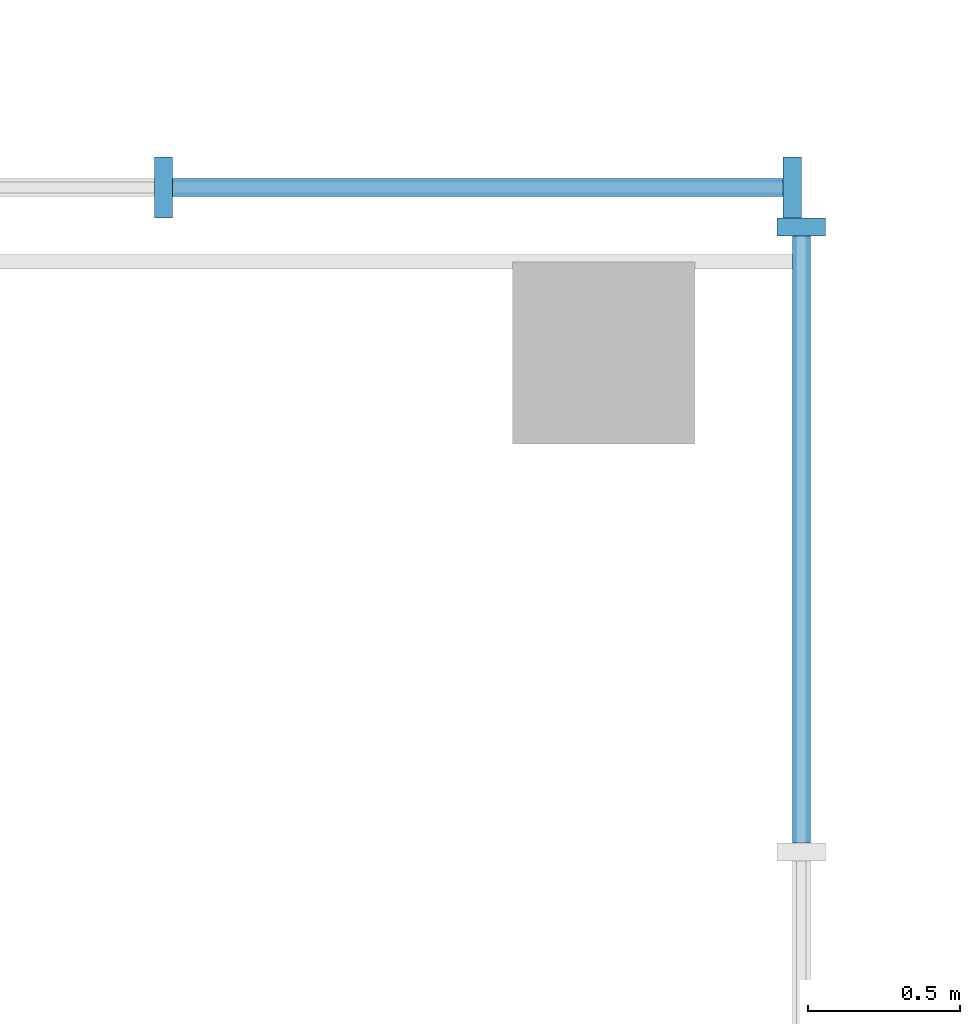
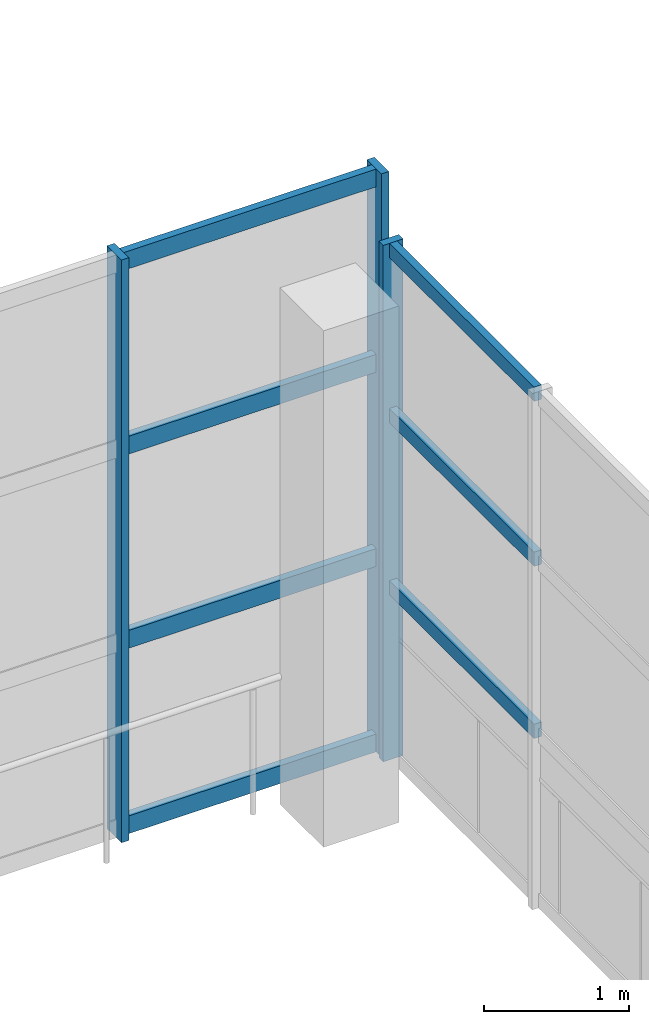
# One storey, part 25 of 67: 10 members, 2 elements without a shape of their own.
"""IFC4 building model written with IfcOpenShell, lengths in metres."""

import ifcopenshell
import ifcopenshell.guid

model = None  # the IFC model being written
_history = None  # IfcOwnerHistory: only IFC2X3 demands one
_inside = {}  # id of a spatial element -> (the spatial element, [elements in it])
_under = {}  # id of a project, library or spatial element -> (it, [spatial elements below it])
_declared = {}  # id of a project -> (the project, [libraries it declares])
_typed = {}  # id of a type object -> (the type object, [elements of that type])
_made_of = {}  # id of a material, layer set ... -> (it, [elements and type objects made of it])


def new_model(schema):
    """Start an empty IFC model of exactly this schema.

    Asked for "IFC4X3", IfcOpenShell would pick the latest addendum, in which some entities
    have other attributes; the version numbers below select the first issue.
    IFC2X3 requires an IfcOwnerHistory on every rooted entity: one is made here for all.
    """
    global model, _history
    if schema == "IFC4X3":
        model = ifcopenshell.file(schema_version=(4, 3, 0, 0))
    else:
        model = ifcopenshell.file(schema=schema)
    _inside.clear()
    _under.clear()
    _declared.clear()
    _typed.clear()
    _made_of.clear()
    _history = None
    if model.schema == "IFC2X3":
        org = make("IfcOrganization", Name="unknown")
        user = make(
            "IfcPersonAndOrganization",
            ThePerson=make("IfcPerson", FamilyName="unknown"),
            TheOrganization=org,
        )
        app = make(
            "IfcApplication",
            ApplicationDeveloper=org,
            Version="unknown",
            ApplicationFullName="unknown",
            ApplicationIdentifier="unknown",
        )
        _history = make(
            "IfcOwnerHistory",
            OwningUser=user,
            OwningApplication=app,
            ChangeAction="ADDED",
            CreationDate=0,
        )
    return model


def make(cls, **values):
    """One entity of the class cls with the attributes given. An attribute that is None is left unset."""
    return model.create_entity(
        cls, **{name: value for name, value in values.items() if value is not None}
    )


def rooted(cls, **values):
    """An entity with a GlobalId (a new one), such as an element, a storey or a relation."""
    return make(cls, GlobalId=ifcopenshell.guid.new(), OwnerHistory=_history, **values)


def si_unit(unit_type, name, prefix=None):
    """IfcSIUnit, for example si_unit("LENGTHUNIT", "METRE", prefix="MILLI")."""
    return make("IfcSIUnit", UnitType=unit_type, Prefix=prefix, Name=name)


def assignment(units):
    """IfcUnitAssignment: the units of a project."""
    return None if units is None else make("IfcUnitAssignment", Units=units)


def point(xyz):
    """IfcCartesianPoint."""
    return None if xyz is None else make("IfcCartesianPoint", Coordinates=xyz)


def direction(xyz):
    """IfcDirection."""
    return None if xyz is None else make("IfcDirection", DirectionRatios=xyz)


def frame(location, z_axis=None, x_axis=None):
    """IfcAxis2Placement3D, a coordinate frame: its origin and axes. An axis left out is left unset."""
    return make(
        "IfcAxis2Placement3D",
        Location=point(location),
        Axis=direction(z_axis),
        RefDirection=direction(x_axis),
    )


def frame_2d(location, x_axis=None):
    """IfcAxis2Placement2D, a coordinate frame in the plane: its origin and x axis."""
    return make(
        "IfcAxis2Placement2D", Location=point(location), RefDirection=direction(x_axis)
    )


def origin():
    """The frame at (0, 0, 0) with its axes left unset."""
    return frame((0.0, 0.0, 0.0))


def origin_2d():
    """The frame at (0, 0) in the plane with its x axis left unset."""
    return frame_2d((0.0, 0.0))


def place(relative_to, where):
    """IfcLocalPlacement: puts the frame where relative to a parent placement (None: the world)."""
    return make(
        "IfcLocalPlacement", PlacementRelTo=relative_to, RelativePlacement=where
    )


def context(
    kind, dimensions, precision=None, world=None, true_north=None, identifier=None
):
    """IfcGeometricRepresentationContext, for example the 3D "Model" context."""
    return make(
        "IfcGeometricRepresentationContext",
        ContextIdentifier=identifier,
        ContextType=kind,
        CoordinateSpaceDimension=dimensions,
        Precision=precision,
        WorldCoordinateSystem=world,
        TrueNorth=true_north,
    )


def subcontext(parent, identifier, kind, view, scale=None):
    """IfcGeometricRepresentationSubContext, for example "Body" below "Model"."""
    return make(
        "IfcGeometricRepresentationSubContext",
        ContextIdentifier=identifier,
        ContextType=kind,
        ParentContext=parent,
        TargetScale=scale,
        TargetView=view,
    )


def project(units=None, contexts=None):
    """IfcProject with its units and contexts."""
    return rooted(
        "IfcProject",
        Name="project",
        RepresentationContexts=contexts,
        UnitsInContext=assignment(units),
    )


def spatial(cls, under=None, at=None, **own):
    """A site, building, storey or space (cls), placed at a placement, below another one or the project."""
    s = rooted(cls, ObjectPlacement=at, **own)
    if under is not None:
        _under.setdefault(under.id(), (under, []))[1].append(s)
    return s


def profile(cls, at=None, kind="AREA", **sizes):
    """A parametric profile (cls). Its sizes go by their IFC names, for example OverallWidth=200.0."""
    return make(cls, ProfileType=kind, Position=at, **sizes)


def rectangle(**sizes):
    """IfcRectangleProfileDef."""
    return profile("IfcRectangleProfileDef", **sizes)


def extrude(swept, where, along, depth):
    """IfcExtrudedAreaSolid: the profile swept, set in the frame where, extruded along a direction by depth."""
    return make(
        "IfcExtrudedAreaSolid",
        SweptArea=swept,
        Position=where,
        ExtrudedDirection=direction(along),
        Depth=depth,
    )


def shape(context_of_items, identifier, shape_type, items):
    """IfcShapeRepresentation: the items that make up one representation, for example the "Body"."""
    return make(
        "IfcShapeRepresentation",
        ContextOfItems=context_of_items,
        RepresentationIdentifier=identifier,
        RepresentationType=shape_type,
        Items=items,
    )


def material(Name=None, Category=None):
    """IfcMaterial."""
    return make("IfcMaterial", Name=Name, Category=Category)


def layer(
    of_material, thickness, ventilated=None, Name=None, Category=None, Priority=None
):
    """IfcMaterialLayer: one layer of a wall or slab, of a material (None: an air gap)."""
    return make(
        "IfcMaterialLayer",
        Material=of_material,
        LayerThickness=thickness,
        IsVentilated=ventilated,
        Name=Name,
        Category=Category,
        Priority=Priority,
    )


def layer_set(layers, Name=None):
    """IfcMaterialLayerSet."""
    return make("IfcMaterialLayerSet", MaterialLayers=layers, LayerSetName=Name)


def material_profile(
    of_material, cross_section, Name=None, Category=None, Priority=None
):
    """IfcMaterialProfile: a cross section and its material."""
    return make(
        "IfcMaterialProfile",
        Name=Name,
        Material=of_material,
        Profile=cross_section,
        Priority=Priority,
        Category=Category,
    )


def profile_set(profiles, Name=None, composite=None):
    """IfcMaterialProfileSet."""
    return make(
        "IfcMaterialProfileSet",
        Name=Name,
        MaterialProfiles=profiles,
        CompositeProfile=composite,
    )


def made_of(thing, what):
    """Note that an element or type object is made of a material, layer set ...; save() writes the relation."""
    if what is not None:
        _made_of.setdefault(what.id(), (what, []))[1].append(thing)
    return thing


def type_object(cls, material=None, **own):
    """A type object (cls), such as IfcWallType, which elements share."""
    return made_of(rooted(cls, **own), material)


def element(
    cls,
    number,
    at=None,
    inside=None,
    cuts=None,
    type_object=None,
    material=None,
    context=None,
    identifier="Body",
    shape_type=None,
    held_by="IfcProductDefinitionShape",
    body=None,
    shapes=None,
    **own,
):
    """One element of the class cls, such as IfcWall. Its Tag is "e" and its number.

    at: its placement. inside: the storey or other place that contains it. cuts: it is an
    opening in that element (IfcRelVoidsElement). A single representation is given by context,
    identifier, shape_type and body (its items); several are given by shapes. held_by: the class
    of the entity that holds the representations. save() writes the other relations.
    """
    e = rooted(cls, Tag="e%d" % number, ObjectPlacement=at, **own)
    if body is not None:
        shapes = [shape(context, identifier, shape_type, body)]
    if shapes is not None:
        e.Representation = make(held_by, Representations=shapes)
    if inside is not None:
        _inside.setdefault(inside.id(), (inside, []))[1].append(e)
    if cuts is not None:
        rooted(
            "IfcRelVoidsElement", RelatingBuildingElement=cuts, RelatedOpeningElement=e
        )
    if type_object is not None:
        _typed.setdefault(type_object.id(), (type_object, []))[1].append(e)
    return made_of(e, material)


def aggregate(whole, parts):
    """IfcRelAggregates: a whole, such as a stair, and the parts it consists of."""
    return rooted("IfcRelAggregates", RelatingObject=whole, RelatedObjects=parts)


def save(model, path):
    """Write the relations noted so far, then the file.

    IfcRelAggregates (storeys below a building ...), IfcRelContainedInSpatialStructure (elements
    in a storey), IfcRelDefinesByType, IfcRelAssociatesMaterial and IfcRelDeclares: one each for
    every whole, place, type object, material and project.
    """
    for whole, parts in _under.values():
        aggregate(whole, parts)
    for where, things in _inside.values():
        rooted(
            "IfcRelContainedInSpatialStructure",
            RelatedElements=things,
            RelatingStructure=where,
        )
    for kind, things in _typed.values():
        rooted("IfcRelDefinesByType", RelatedObjects=things, RelatingType=kind)
    for what, things in _made_of.values():
        rooted("IfcRelAssociatesMaterial", RelatedObjects=things, RelatingMaterial=what)
    for by, libraries in _declared.values():
        rooted("IfcRelDeclares", RelatingContext=by, RelatedDefinitions=libraries)
    model.write(path)


model = new_model("IFC4")

# Units and contexts
model_context = context("Model", 3, precision=1e-05, world=origin(), true_north=direction((0.0, 1.0)))
body_context = subcontext(model_context, "Body", "Model", "MODEL_VIEW")
ifc_project = project(units=[si_unit("LENGTHUNIT", "METRE"), si_unit("AREAUNIT", "SQUARE_METRE"), si_unit("VOLUMEUNIT", "CUBIC_METRE"), si_unit("PLANEANGLEUNIT", "RADIAN"), si_unit("MASSUNIT", "GRAM", prefix="KILO")], contexts=[model_context])

# Site, building, storey
site_placement = place(None, origin())
site = spatial("IfcSite", under=ifc_project, at=site_placement, CompositionType="ELEMENT")
building_placement = place(site_placement, origin())
building = spatial("IfcBuilding", under=site, at=building_placement, Name="Kiln Court Media Centre", CompositionType="ELEMENT")
storey_placement = place(building_placement, frame((0.0, 0.0, 19.800048828125)))
storey = spatial("IfcBuildingStorey", under=building, at=storey_placement, Name="L04", CompositionType="ELEMENT", Elevation=19.800048828125)

# Curtain wall, member
ifc_material_1 = material(Name="Aluminium 6063-T6", Category="aluminium")
ifc_layer_1 = layer(ifc_material_1, 0.1201171875)
ifc_layer_set_1 = layer_set([ifc_layer_1], Name="Aluminium stick curtain wall, clerestory")
curtain_wall_type_1 = type_object("IfcCurtainWallType", Name="Aluminium stick curtain wall, clerestory", PredefinedType="USERDEFINED", material=ifc_layer_set_1)
curtain_wall_1_placement = place(storey_placement, origin())
curtain_wall_1 = element("IfcCurtainWall", 1, at=curtain_wall_1_placement, inside=storey, type_object=curtain_wall_type_1, Name="Foyer east clerestory", ObjectType="STICK CURTAIN WALL", PredefinedType="USERDEFINED")
ifc_material_2 = material(Name="Aluminium 6063-T6", Category="aluminium")
ifc_material_profile_1 = material_profile(ifc_material_2, rectangle(XDim=0.06005859375, YDim=0.159912109375, at=origin_2d()), Name="Aluminium hall mullion 60x160")
ifc_profile_set_1 = profile_set([ifc_material_profile_1], Name="Aluminium 6063-T6")
member_type_1 = type_object("IfcMemberType", Name="Aluminium hall mullion 60x160", PredefinedType="MULLION", material=ifc_profile_set_1)
member_1_placement = place(storey_placement, frame((58.800048828125, 67.314453125, 0.0), z_axis=(0.0, 0.0, 1.0), x_axis=(0.0, 1.0, 0.0)))
member_1 = element("IfcMember", 2, at=member_1_placement, type_object=member_type_1, Name="CW4-63 mullion 17", PredefinedType="MULLION", context=body_context, shape_type="SweptSolid", body=[
    extrude(rectangle(XDim=0.06005859375, YDim=0.159912109375, at=origin_2d()), origin(), (0.0, 0.0, 1.0), 4.349853515625),
])

# Curtain wall, members
ifc_material_3 = material(Name="Aluminium 6063-T6", Category="aluminium")
ifc_layer_2 = layer(ifc_material_3, 0.1201171875)
ifc_layer_set_2 = layer_set([ifc_layer_2], Name="Aluminium stick curtain wall, foyer")
curtain_wall_type_2 = type_object("IfcCurtainWallType", Name="Aluminium stick curtain wall, foyer", PredefinedType="USERDEFINED", material=ifc_layer_set_2)
curtain_wall_2_placement = place(storey_placement, origin())
curtain_wall_2 = element("IfcCurtainWall", 3, at=curtain_wall_2_placement, inside=storey, type_object=curtain_wall_type_2, Name="Foyer north glazing L04", ObjectType="STICK CURTAIN WALL", PredefinedType="USERDEFINED")
ifc_material_4 = material(Name="Aluminium 6063-T6", Category="aluminium")
ifc_material_profile_2 = material_profile(ifc_material_4, rectangle(XDim=0.06005859375, YDim=0.199951171875, at=origin_2d()), Name="Aluminium hall mullion 60x200")
ifc_profile_set_2 = profile_set([ifc_material_profile_2], Name="Aluminium 6063-T6")
member_type_2 = type_object("IfcMemberType", Name="Aluminium hall mullion 60x200", PredefinedType="MULLION", material=ifc_profile_set_2)
member_2_placement = place(storey_placement, frame((56.699951171875, 67.444580078125, 0.0), z_axis=(0.0, 0.0, 1.0), x_axis=(1.0, 0.0, 0.0)))
member_2 = element("IfcMember", 4, at=member_2_placement, type_object=member_type_2, Name="CW4-60 mullion 12", PredefinedType="MULLION", context=body_context, shape_type="SweptSolid", body=[
    extrude(rectangle(XDim=0.06005859375, YDim=0.199951171875, at=origin_2d()), origin(), (0.0, 0.0, 1.0), 4.908447265625),
])
member_3_placement = place(storey_placement, frame((58.77001953125, 67.444580078125, 0.0), z_axis=(0.0, 0.0, 1.0), x_axis=(1.0, 0.0, 0.0)))
member_3 = element("IfcMember", 5, at=member_3_placement, type_object=member_type_2, Name="CW4-60 mullion 13", PredefinedType="MULLION", context=body_context, shape_type="SweptSolid", body=[
    extrude(rectangle(XDim=0.06005859375, YDim=0.199951171875, at=origin_2d()), origin(), (0.0, 0.0, 1.0), 4.908447265625),
])

# Member
ifc_material_5 = material(Name="Aluminium 6063-T6", Category="aluminium")
ifc_material_profile_3 = material_profile(ifc_material_5, rectangle(XDim=0.06005859375, YDim=0.1201171875, at=origin_2d()), Name="Aluminium hall transom 60x120")
ifc_profile_set_3 = profile_set([ifc_material_profile_3], Name="Aluminium 6063-T6")
member_type_3 = type_object("IfcMemberType", Name="Aluminium hall transom 60x120", PredefinedType="USERDEFINED", material=ifc_profile_set_3)
member_4_placement = place(storey_placement, frame((58.800048828125, 65.287353515625, 1.449951171875), z_axis=(0.0, 1.0, 0.0), x_axis=(-1.0, 0.0, 0.0)))
member_4 = element("IfcMember", 6, at=member_4_placement, type_object=member_type_3, Name="CW4-63 transom 16.2", ObjectType="TRANSOM", PredefinedType="USERDEFINED", context=body_context, shape_type="SweptSolid", body=[
    extrude(rectangle(XDim=0.06005859375, YDim=0.1201171875, at=origin_2d()), origin(), (0.0, 0.0, 1.0), 1.9970703125),
])

member_5_placement = place(storey_placement, frame((58.800048828125, 65.287353515625, 2.89990234375), z_axis=(0.0, 1.0, 0.0), x_axis=(-1.0, 0.0, 0.0)))
member_5 = element("IfcMember", 7, at=member_5_placement, type_object=member_type_3, Name="CW4-63 transom 16.3", ObjectType="TRANSOM", PredefinedType="USERDEFINED", context=body_context, shape_type="SweptSolid", body=[
    extrude(rectangle(XDim=0.06005859375, YDim=0.1201171875, at=origin_2d()), origin(), (0.0, 0.0, 1.0), 1.9970703125),
])

member_6_placement = place(storey_placement, frame((58.800048828125, 65.287353515625, 4.2900390625), z_axis=(0.0, 1.0, 0.0), x_axis=(-1.0, 0.0, 0.0)))
member_6 = element("IfcMember", 8, at=member_6_placement, type_object=member_type_3, Name="CW4-63 transom 16.4", ObjectType="TRANSOM", PredefinedType="USERDEFINED", context=body_context, shape_type="SweptSolid", body=[
    extrude(rectangle(XDim=0.06005859375, YDim=0.1201171875, at=origin_2d()), origin(), (0.0, 0.0, 1.0), 1.9970703125),
])

aggregate(curtain_wall_1, [member_1, member_4, member_5, member_6])

ifc_material_6 = material(Name="Aluminium 6063-T6", Category="aluminium")
ifc_material_profile_4 = material_profile(ifc_material_6, rectangle(XDim=0.06005859375, YDim=0.14990234375, at=origin_2d()), Name="Aluminium hall transom 60x150")
ifc_profile_set_4 = profile_set([ifc_material_profile_4], Name="Aluminium 6063-T6")
member_type_4 = type_object("IfcMemberType", Name="Aluminium hall transom 60x150", PredefinedType="USERDEFINED", material=ifc_profile_set_4)
member_7_placement = place(storey_placement, frame((56.72998046875, 67.444580078125, 0.074951171875), z_axis=(1.0, 0.0, 0.0), x_axis=(0.0, 1.0, 0.0)))
member_7 = element("IfcMember", 9, at=member_7_placement, type_object=member_type_4, Name="CW4-60 transom 12.1", ObjectType="TRANSOM", PredefinedType="USERDEFINED", context=body_context, shape_type="SweptSolid", body=[
    extrude(rectangle(XDim=0.06005859375, YDim=0.14990234375, at=origin_2d()), origin(), (0.0, 0.0, 1.0), 2.010009765625),
])

member_8_placement = place(storey_placement, frame((56.72998046875, 67.444580078125, 1.63623046875), z_axis=(1.0, 0.0, 0.0), x_axis=(0.0, 1.0, 0.0)))
member_8 = element("IfcMember", 10, at=member_8_placement, type_object=member_type_4, Name="CW4-60 transom 12.2", ObjectType="TRANSOM", PredefinedType="USERDEFINED", context=body_context, shape_type="SweptSolid", body=[
    extrude(rectangle(XDim=0.06005859375, YDim=0.14990234375, at=origin_2d()), origin(), (0.0, 0.0, 1.0), 2.010009765625),
])

member_9_placement = place(storey_placement, frame((56.72998046875, 67.444580078125, 3.272216796875), z_axis=(1.0, 0.0, 0.0), x_axis=(0.0, 1.0, 0.0)))
member_9 = element("IfcMember", 11, at=member_9_placement, type_object=member_type_4, Name="CW4-60 transom 12.3", ObjectType="TRANSOM", PredefinedType="USERDEFINED", context=body_context, shape_type="SweptSolid", body=[
    extrude(rectangle(XDim=0.06005859375, YDim=0.14990234375, at=origin_2d()), origin(), (0.0, 0.0, 1.0), 2.010009765625),
])

member_10_placement = place(storey_placement, frame((56.72998046875, 67.444580078125, 4.83349609375), z_axis=(1.0, 0.0, 0.0), x_axis=(0.0, 1.0, 0.0)))
member_10 = element("IfcMember", 12, at=member_10_placement, type_object=member_type_4, Name="CW4-60 transom 12.4", ObjectType="TRANSOM", PredefinedType="USERDEFINED", context=body_context, shape_type="SweptSolid", body=[
    extrude(rectangle(XDim=0.06005859375, YDim=0.14990234375, at=origin_2d()), origin(), (0.0, 0.0, 1.0), 2.010009765625),
])

aggregate(curtain_wall_2, [member_2, member_3, member_7, member_8, member_9, member_10])

save(model, "model.ifc")
